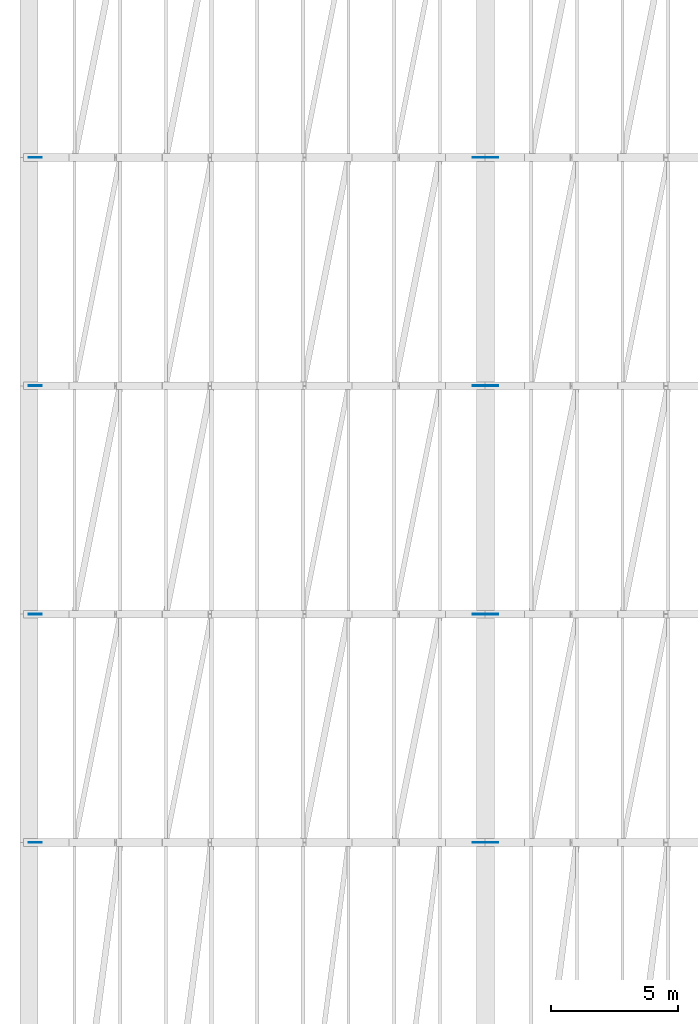
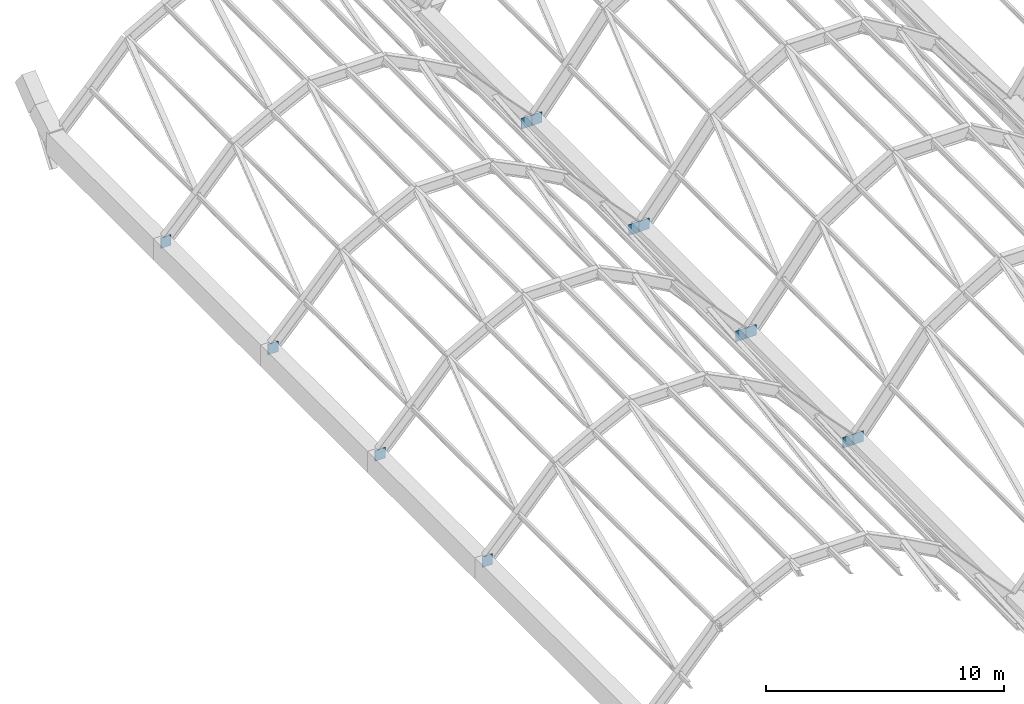
# One storey, part 69 of 86: 12 plates.
"""IFC4 building model written with IfcOpenShell, lengths in metres."""

import ifcopenshell
import ifcopenshell.guid

model = None  # the IFC model being written
_history = None  # IfcOwnerHistory: only IFC2X3 demands one
_inside = {}  # id of a spatial element -> (the spatial element, [elements in it])
_under = {}  # id of a project, library or spatial element -> (it, [spatial elements below it])
_declared = {}  # id of a project -> (the project, [libraries it declares])
_typed = {}  # id of a type object -> (the type object, [elements of that type])
_made_of = {}  # id of a material, layer set ... -> (it, [elements and type objects made of it])


def new_model(schema):
    """Start an empty IFC model of exactly this schema.

    Asked for "IFC4X3", IfcOpenShell would pick the latest addendum, in which some entities
    have other attributes; the version numbers below select the first issue.
    IFC2X3 requires an IfcOwnerHistory on every rooted entity: one is made here for all.
    """
    global model, _history
    if schema == "IFC4X3":
        model = ifcopenshell.file(schema_version=(4, 3, 0, 0))
    else:
        model = ifcopenshell.file(schema=schema)
    _inside.clear()
    _under.clear()
    _declared.clear()
    _typed.clear()
    _made_of.clear()
    _history = None
    if model.schema == "IFC2X3":
        org = make("IfcOrganization", Name="unknown")
        user = make(
            "IfcPersonAndOrganization",
            ThePerson=make("IfcPerson", FamilyName="unknown"),
            TheOrganization=org,
        )
        app = make(
            "IfcApplication",
            ApplicationDeveloper=org,
            Version="unknown",
            ApplicationFullName="unknown",
            ApplicationIdentifier="unknown",
        )
        _history = make(
            "IfcOwnerHistory",
            OwningUser=user,
            OwningApplication=app,
            ChangeAction="ADDED",
            CreationDate=0,
        )
    return model


def make(cls, **values):
    """One entity of the class cls with the attributes given. An attribute that is None is left unset."""
    return model.create_entity(
        cls, **{name: value for name, value in values.items() if value is not None}
    )


def rooted(cls, **values):
    """An entity with a GlobalId (a new one), such as an element, a storey or a relation."""
    return make(cls, GlobalId=ifcopenshell.guid.new(), OwnerHistory=_history, **values)


def si_unit(unit_type, name, prefix=None):
    """IfcSIUnit, for example si_unit("LENGTHUNIT", "METRE", prefix="MILLI")."""
    return make("IfcSIUnit", UnitType=unit_type, Prefix=prefix, Name=name)


def assignment(units):
    """IfcUnitAssignment: the units of a project."""
    return None if units is None else make("IfcUnitAssignment", Units=units)


def point(xyz):
    """IfcCartesianPoint."""
    return None if xyz is None else make("IfcCartesianPoint", Coordinates=xyz)


def direction(xyz):
    """IfcDirection."""
    return None if xyz is None else make("IfcDirection", DirectionRatios=xyz)


def frame(location, z_axis=None, x_axis=None):
    """IfcAxis2Placement3D, a coordinate frame: its origin and axes. An axis left out is left unset."""
    return make(
        "IfcAxis2Placement3D",
        Location=point(location),
        Axis=direction(z_axis),
        RefDirection=direction(x_axis),
    )


def frame_2d(location, x_axis=None):
    """IfcAxis2Placement2D, a coordinate frame in the plane: its origin and x axis."""
    return make(
        "IfcAxis2Placement2D", Location=point(location), RefDirection=direction(x_axis)
    )


def origin():
    """The frame at (0, 0, 0) with its axes left unset."""
    return frame((0.0, 0.0, 0.0))


def origin_2d():
    """The frame at (0, 0) in the plane with its x axis left unset."""
    return frame_2d((0.0, 0.0))


def place(relative_to, where):
    """IfcLocalPlacement: puts the frame where relative to a parent placement (None: the world)."""
    return make(
        "IfcLocalPlacement", PlacementRelTo=relative_to, RelativePlacement=where
    )


def context(
    kind, dimensions, precision=None, world=None, true_north=None, identifier=None
):
    """IfcGeometricRepresentationContext, for example the 3D "Model" context."""
    return make(
        "IfcGeometricRepresentationContext",
        ContextIdentifier=identifier,
        ContextType=kind,
        CoordinateSpaceDimension=dimensions,
        Precision=precision,
        WorldCoordinateSystem=world,
        TrueNorth=true_north,
    )


def subcontext(parent, identifier, kind, view, scale=None):
    """IfcGeometricRepresentationSubContext, for example "Body" below "Model"."""
    return make(
        "IfcGeometricRepresentationSubContext",
        ContextIdentifier=identifier,
        ContextType=kind,
        ParentContext=parent,
        TargetScale=scale,
        TargetView=view,
    )


def project(units=None, contexts=None):
    """IfcProject with its units and contexts."""
    return rooted(
        "IfcProject",
        Name="project",
        RepresentationContexts=contexts,
        UnitsInContext=assignment(units),
    )


def spatial(cls, under=None, at=None, **own):
    """A site, building, storey or space (cls), placed at a placement, below another one or the project."""
    s = rooted(cls, ObjectPlacement=at, **own)
    if under is not None:
        _under.setdefault(under.id(), (under, []))[1].append(s)
    return s


def profile(cls, at=None, kind="AREA", **sizes):
    """A parametric profile (cls). Its sizes go by their IFC names, for example OverallWidth=200.0."""
    return make(cls, ProfileType=kind, Position=at, **sizes)


def rectangle(**sizes):
    """IfcRectangleProfileDef."""
    return profile("IfcRectangleProfileDef", **sizes)


def extrude(swept, where, along, depth):
    """IfcExtrudedAreaSolid: the profile swept, set in the frame where, extruded along a direction by depth."""
    return make(
        "IfcExtrudedAreaSolid",
        SweptArea=swept,
        Position=where,
        ExtrudedDirection=direction(along),
        Depth=depth,
    )


def shape(context_of_items, identifier, shape_type, items):
    """IfcShapeRepresentation: the items that make up one representation, for example the "Body"."""
    return make(
        "IfcShapeRepresentation",
        ContextOfItems=context_of_items,
        RepresentationIdentifier=identifier,
        RepresentationType=shape_type,
        Items=items,
    )


def material(Name=None, Category=None):
    """IfcMaterial."""
    return make("IfcMaterial", Name=Name, Category=Category)


def layer(
    of_material, thickness, ventilated=None, Name=None, Category=None, Priority=None
):
    """IfcMaterialLayer: one layer of a wall or slab, of a material (None: an air gap)."""
    return make(
        "IfcMaterialLayer",
        Material=of_material,
        LayerThickness=thickness,
        IsVentilated=ventilated,
        Name=Name,
        Category=Category,
        Priority=Priority,
    )


def layer_set(layers, Name=None):
    """IfcMaterialLayerSet."""
    return make("IfcMaterialLayerSet", MaterialLayers=layers, LayerSetName=Name)


def made_of(thing, what):
    """Note that an element or type object is made of a material, layer set ...; save() writes the relation."""
    if what is not None:
        _made_of.setdefault(what.id(), (what, []))[1].append(thing)
    return thing


def type_object(cls, material=None, **own):
    """A type object (cls), such as IfcWallType, which elements share."""
    return made_of(rooted(cls, **own), material)


def element(
    cls,
    number,
    at=None,
    inside=None,
    cuts=None,
    type_object=None,
    material=None,
    context=None,
    identifier="Body",
    shape_type=None,
    held_by="IfcProductDefinitionShape",
    body=None,
    shapes=None,
    **own,
):
    """One element of the class cls, such as IfcWall. Its Tag is "e" and its number.

    at: its placement. inside: the storey or other place that contains it. cuts: it is an
    opening in that element (IfcRelVoidsElement). A single representation is given by context,
    identifier, shape_type and body (its items); several are given by shapes. held_by: the class
    of the entity that holds the representations. save() writes the other relations.
    """
    e = rooted(cls, Tag="e%d" % number, ObjectPlacement=at, **own)
    if body is not None:
        shapes = [shape(context, identifier, shape_type, body)]
    if shapes is not None:
        e.Representation = make(held_by, Representations=shapes)
    if inside is not None:
        _inside.setdefault(inside.id(), (inside, []))[1].append(e)
    if cuts is not None:
        rooted(
            "IfcRelVoidsElement", RelatingBuildingElement=cuts, RelatedOpeningElement=e
        )
    if type_object is not None:
        _typed.setdefault(type_object.id(), (type_object, []))[1].append(e)
    return made_of(e, material)


def aggregate(whole, parts):
    """IfcRelAggregates: a whole, such as a stair, and the parts it consists of."""
    return rooted("IfcRelAggregates", RelatingObject=whole, RelatedObjects=parts)


def save(model, path):
    """Write the relations noted so far, then the file.

    IfcRelAggregates (storeys below a building ...), IfcRelContainedInSpatialStructure (elements
    in a storey), IfcRelDefinesByType, IfcRelAssociatesMaterial and IfcRelDeclares: one each for
    every whole, place, type object, material and project.
    """
    for whole, parts in _under.values():
        aggregate(whole, parts)
    for where, things in _inside.values():
        rooted(
            "IfcRelContainedInSpatialStructure",
            RelatedElements=things,
            RelatingStructure=where,
        )
    for kind, things in _typed.values():
        rooted("IfcRelDefinesByType", RelatedObjects=things, RelatingType=kind)
    for what, things in _made_of.values():
        rooted("IfcRelAssociatesMaterial", RelatedObjects=things, RelatingMaterial=what)
    for by, libraries in _declared.values():
        rooted("IfcRelDeclares", RelatingContext=by, RelatedDefinitions=libraries)
    model.write(path)


model = new_model("IFC4")

# Units and contexts
model_context = context("Model", 3, precision=1e-05, world=origin(), true_north=direction((0.0, 1.0)))
body_context = subcontext(model_context, "Body", "Model", "MODEL_VIEW")
ifc_project = project(units=[si_unit("LENGTHUNIT", "METRE"), si_unit("AREAUNIT", "SQUARE_METRE"), si_unit("VOLUMEUNIT", "CUBIC_METRE"), si_unit("PLANEANGLEUNIT", "RADIAN"), si_unit("MASSUNIT", "GRAM", prefix="KILO")], contexts=[model_context])

# Site, building, storey
site_placement = place(None, origin())
site = spatial("IfcSite", under=ifc_project, at=site_placement, CompositionType="ELEMENT")
building_placement = place(site_placement, origin())
building = spatial("IfcBuilding", under=site, at=building_placement, Name="Chuanluo Vaults Station", CompositionType="ELEMENT")
storey_placement = place(building_placement, frame((0.0, 0.0, 14.39990234375)))
storey = spatial("IfcBuildingStorey", under=building, at=storey_placement, Name="L03", CompositionType="ELEMENT", Elevation=14.39990234375)

# Plates
ifc_material = material(Name="Steel Q390C", Category="steel")
ifc_layer = layer(ifc_material, 0.028076171875)
ifc_layer_set = layer_set([ifc_layer], Name="Steel Q390C")
plate_type = type_object("IfcPlateType", Name="PLT-GUS-28", PredefinedType="USERDEFINED", material=ifc_layer_set)
for number, where, z_axis, x_axis, name in (
    (1, (0.25, 67.5, -0.875), (0.0, 0.0, 1.0), (1.0, 0.0, 0.0), "Vault V1 skewback node plate 5-W"),
    (2, (17.75, 67.5, -0.875), (0.0, 0.0, 1.0), (1.0, 0.0, 0.0), "Vault V1 skewback node plate 5-E"),
    (3, (0.25, 76.5, -0.875), (0.0, 0.0, 1.0), (1.0, 0.0, 0.0), "Vault V1 skewback node plate 6-W"),
    (4, (17.75, 76.5, -0.875), (0.0, 0.0, 1.0), (1.0, 0.0, 0.0), "Vault V1 skewback node plate 6-E"),
    (5, (0.25, 85.5, -0.875), (0.0, 0.0, 1.0), (1.0, 0.0, 0.0), "Vault V1 skewback node plate 7-W"),
    (6, (17.75, 85.5, -0.875), (0.0, 0.0, 1.0), (1.0, 0.0, 0.0), "Vault V1 skewback node plate 7-E"),
    (7, (0.25, 94.5, -0.875), (0.0, 0.0, 1.0), (1.0, 0.0, 0.0), "Vault V1 skewback node plate 8-W"),
    (8, (17.75, 94.5, -0.875), (0.0, 0.0, 1.0), (1.0, 0.0, 0.0), "Vault V1 skewback node plate 8-E"),
    (9, (18.25, 67.5, -0.875), (0.0, 0.0, 1.0), (1.0, 0.0, 0.0), "Vault V2 skewback node plate 5-W"),
    (10, (18.25, 76.5, -0.875), (0.0, 0.0, 1.0), (1.0, 0.0, 0.0), "Vault V2 skewback node plate 6-W"),
    (11, (18.25, 85.5, -0.875), (0.0, 0.0, 1.0), (1.0, 0.0, 0.0), "Vault V2 skewback node plate 7-W"),
    (12, (18.25, 94.5, -0.875), (0.0, 0.0, 1.0), (1.0, 0.0, 0.0), "Vault V2 skewback node plate 8-W"),
):
    element("IfcPlate", number, at=place(storey_placement, frame(where, z_axis=z_axis, x_axis=x_axis)), inside=storey, type_object=plate_type, Name=name, ObjectType="GUSSET_PLATE", PredefinedType="USERDEFINED", context=body_context, shape_type="SweptSolid", body=[
        extrude(rectangle(XDim=0.5, YDim=0.028076171875, at=origin_2d()), origin(), (0.0, 0.0, 1.0), 0.550048828125),
    ])

save(model, "model.ifc")
